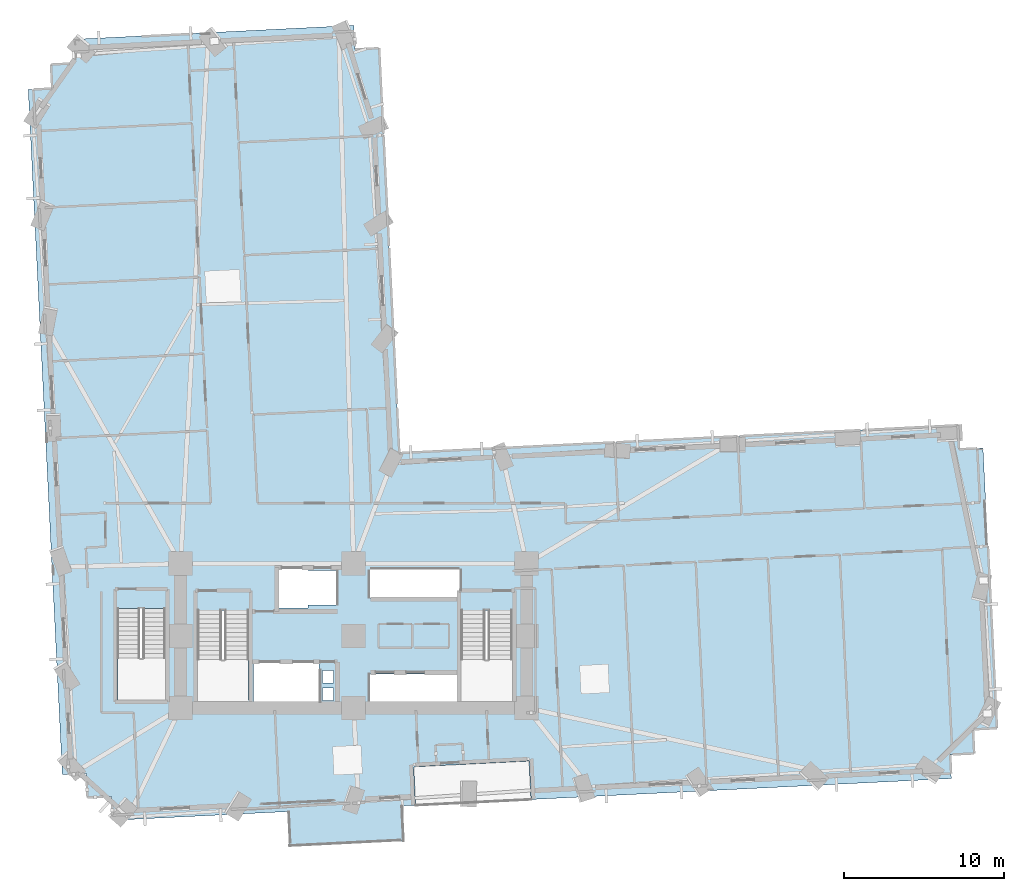
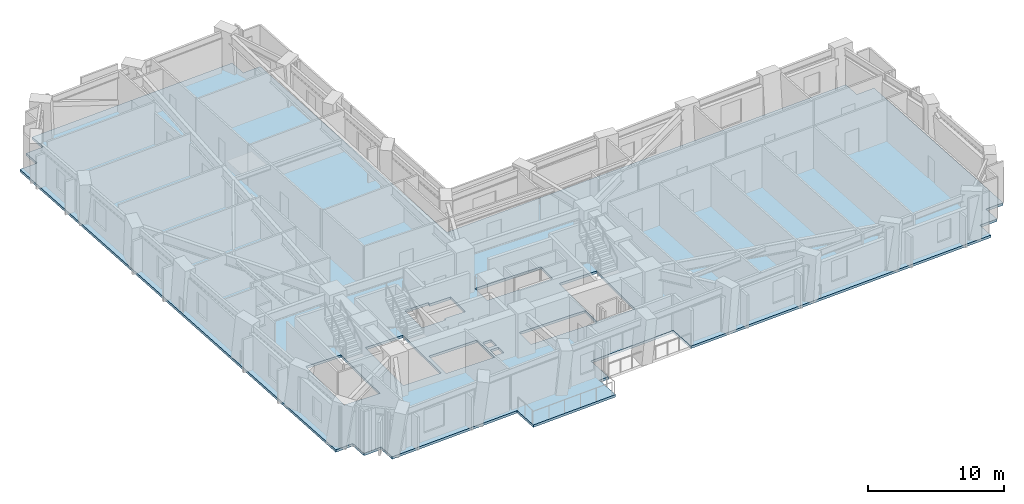
# One storey, part 5 of 15: 1 slab.
"""IFC4 building model written with IfcOpenShell, lengths in metres."""

from ifc_helpers import new_model, si_unit, direction, frame, origin, place, context, subcontext, project, spatial, polyline, outline, extrude, material, layer, layer_set, type_object, element, save


model = new_model("IFC4")

# Units and contexts
model_context = context("Model", 3, precision=1e-05, world=origin(), true_north=direction((0.0, 1.0)))
body_context = subcontext(model_context, "Body", "Model", "MODEL_VIEW")
ifc_project = project(units=[si_unit("LENGTHUNIT", "METRE"), si_unit("AREAUNIT", "SQUARE_METRE"), si_unit("VOLUMEUNIT", "CUBIC_METRE"), si_unit("PLANEANGLEUNIT", "RADIAN"), si_unit("MASSUNIT", "GRAM", prefix="KILO")], contexts=[model_context])

# Site, building, storey
site_placement = place(None, origin())
site = spatial("IfcSite", under=ifc_project, at=site_placement, CompositionType="ELEMENT")
building_placement = place(site_placement, origin())
building = spatial("IfcBuilding", under=site, at=building_placement, Name="Gaonmaruhae Medical Tower", CompositionType="ELEMENT")
storey_placement = place(building_placement, frame((0.0, 0.0, 35.0)))
storey = spatial("IfcBuildingStorey", under=building, at=storey_placement, Name="L07", CompositionType="ELEMENT", Elevation=35.0)

# Slab
ifc_material = material(Name="Concrete C40/50", Category="concrete")
ifc_layer = layer(ifc_material, 0.219970703125)
ifc_layer_set = layer_set([ifc_layer], Name="Concrete C40/50")
slab_type = type_object("IfcSlabType", Name="FS-220 Clinical Ward Composite Floor Slab", PredefinedType="FLOOR", material=ifc_layer_set)
slab_placement = place(storey_placement, frame((0.0, 0.0, -0.219970703125)))
element("IfcSlab", 1, at=slab_placement, inside=storey, type_object=slab_type, Name="L07 Structural Slab 1", PredefinedType="FLOOR", context=body_context, shape_type="SweptSolid", body=[
    extrude(outline(polyline([(9.68994140625, 2.283203125), (8.19189453125, 2.208740234375), (8.1171875, 3.706787109375), (6.619140625, 3.63232421875), (4.490966796875, 46.37939453125), (5.9892578125, 46.453857421875), (5.91455078125, 47.9521484375), (7.41259765625, 48.026611328125), (7.338134765625, 49.52490234375), (24.81640625, 50.39501953125), (24.89111328125, 48.896728515625), (26.38916015625, 48.971435546875), (27.647216796875, 23.70263671875), (62.50390625, 25.43798828125), (62.57861328125, 23.939697265625), (64.076904296875, 24.014404296875), (64.947021484375, 6.535888671875), (63.44873046875, 6.46142578125), (63.523193359375, 4.96337890625), (62.025146484375, 4.888671875), (62.099853515625, 3.390625), (35.86328125, 2.08447265625), (35.743896484375, 4.4814453125), (28.552734375, 4.12353515625), (28.672119140625, 1.726318359375), (27.873046875, 1.686767578125), (27.982421875, -0.510498046875), (20.79150390625, -0.86865234375), (20.681884765625, 1.32861328125), (9.7646484375, 0.78515625), (9.68994140625, 2.283203125)]), holes=[polyline([(23.550048828125, 8.25), (22.85009765625, 8.25), (22.85009765625, 9.050048828125), (23.550048828125, 9.050048828125), (23.550048828125, 8.25)]), polyline([(25.824951171875, 9.925048828125), (31.425048828125, 9.925048828125), (31.425048828125, 8.175048828125), (25.824951171875, 8.175048828125), (25.824951171875, 9.925048828125)]), polyline([(22.64990234375, 10.625), (22.64990234375, 8.074951171875), (18.550048828125, 8.074951171875), (18.550048828125, 10.625), (22.64990234375, 10.625)]), polyline([(23.550048828125, 9.35009765625), (22.85009765625, 9.35009765625), (22.85009765625, 10.14990234375), (23.550048828125, 10.14990234375), (23.550048828125, 9.35009765625)]), polyline([(15.050048828125, 13.889892578125), (18.25, 13.889892578125), (18.25, 8.300048828125), (15.050048828125, 8.300048828125), (15.050048828125, 13.889892578125)]), polyline([(31.5, 13.889892578125), (34.699951171875, 13.889892578125), (34.699951171875, 8.300048828125), (31.5, 8.300048828125), (31.5, 13.889892578125)]), polyline([(10.050048828125, 13.989990234375), (13.050048828125, 13.989990234375), (13.050048828125, 8.300048828125), (10.050048828125, 8.300048828125), (10.050048828125, 13.989990234375)]), polyline([(21.949951171875, 14.02490234375), (19.949951171875, 14.02490234375), (19.949951171875, 16.574951171875), (21.949951171875, 16.574951171875), (21.949951171875, 16.375), (23.72509765625, 16.375), (23.72509765625, 14.22509765625), (21.949951171875, 14.22509765625), (21.949951171875, 14.02490234375)]), polyline([(31.425048828125, 16.425048828125), (31.425048828125, 14.675048828125), (25.824951171875, 14.675048828125), (25.824951171875, 16.425048828125), (31.425048828125, 16.425048828125)])]), origin(), (0.0, 0.0, 1.0), 0.219970703125),
])

save(model, "model.ifc")
